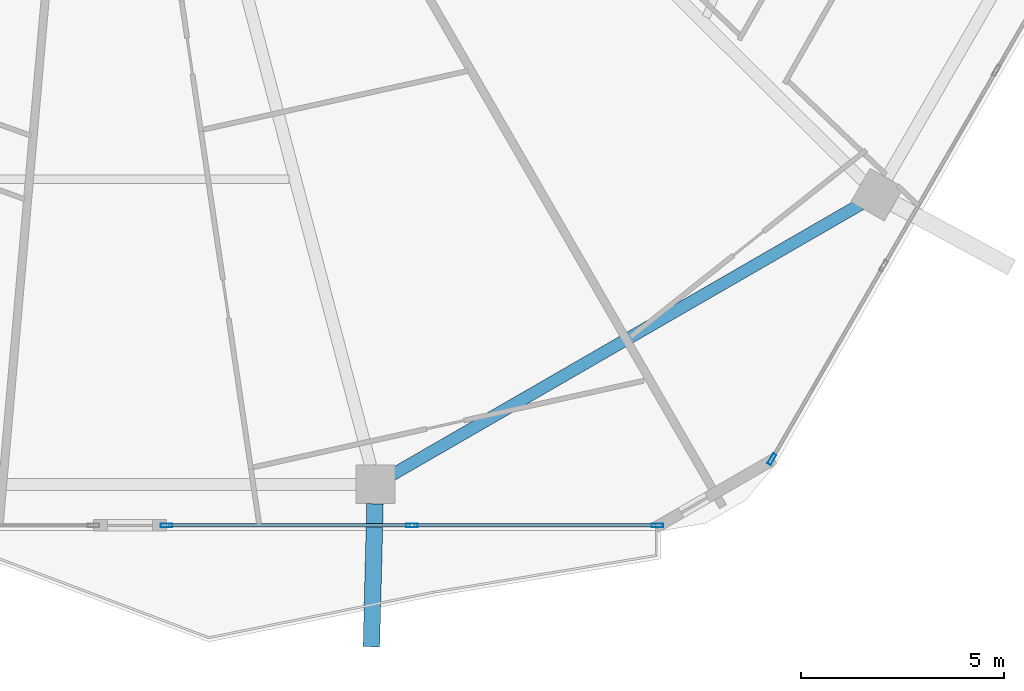
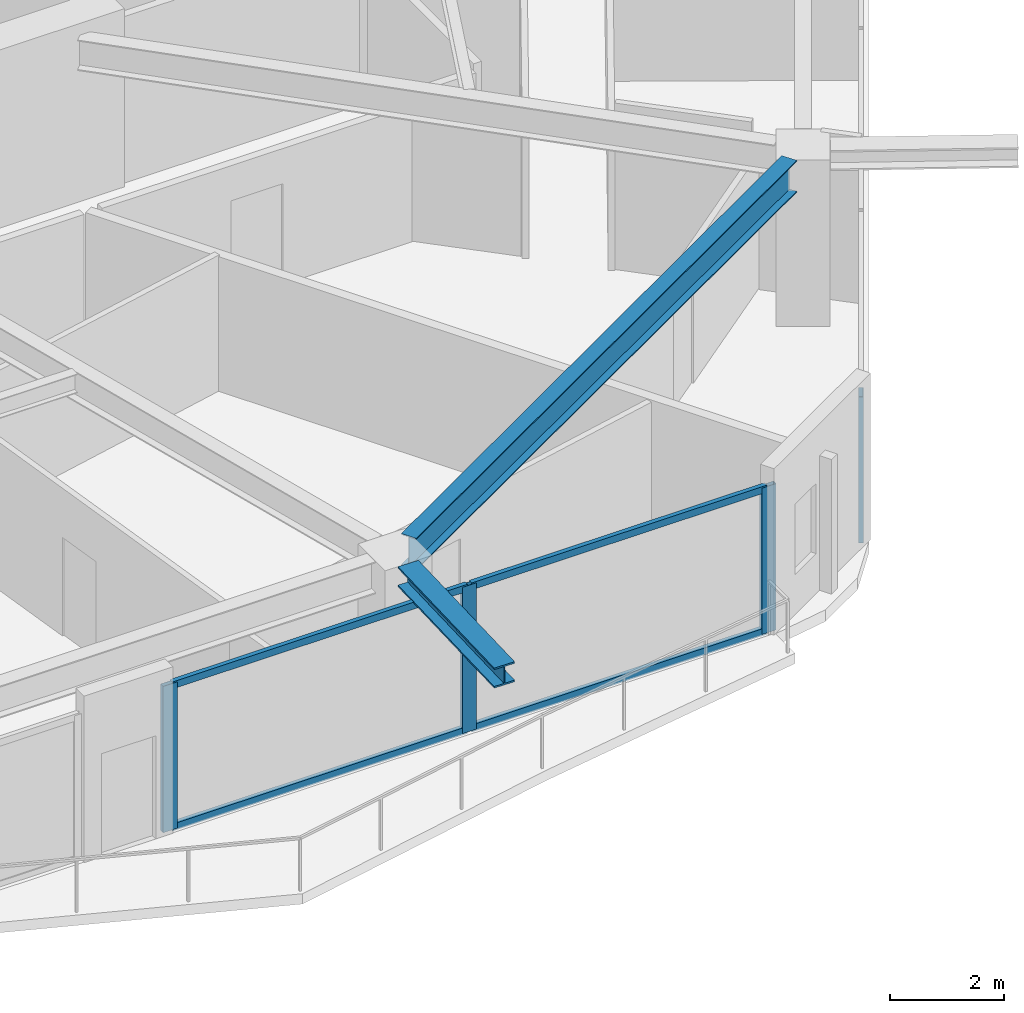
# One storey, part 7 of 25: 8 members, 2 beams, 2 elements without a shape of their own.
"""IFC4 building model written with IfcOpenShell, lengths in metres."""

from ifc_helpers import new_model, si_unit, direction, frame, origin, origin_2d, place, context, subcontext, project, spatial, hollow_rectangle, i_section, extrude, material, material_profile, profile_set, type_object, element, aggregate, save


model = new_model("IFC4")

# Units and contexts
model_context = context("Model", 3, precision=1e-05, world=origin(), true_north=direction((0.0, 1.0)))
body_context = subcontext(model_context, "Body", "Model", "MODEL_VIEW")
ifc_project = project(units=[si_unit("LENGTHUNIT", "METRE"), si_unit("AREAUNIT", "SQUARE_METRE"), si_unit("VOLUMEUNIT", "CUBIC_METRE"), si_unit("PLANEANGLEUNIT", "RADIAN"), si_unit("MASSUNIT", "GRAM", prefix="KILO")], contexts=[model_context])

# Site, building, storey
site_placement = place(None, origin())
site = spatial("IfcSite", under=ifc_project, at=site_placement, CompositionType="ELEMENT")
building_placement = place(site_placement, origin())
building = spatial("IfcBuilding", under=site, at=building_placement, Name="Zuhravey Tower", CompositionType="ELEMENT")
storey_placement = place(building_placement, frame((0.0, 0.0, 196.0)))
storey = spatial("IfcBuildingStorey", under=building, at=storey_placement, Name="L49", CompositionType="ELEMENT", Elevation=196.0)

# Curtain wall, member
ifc_material_1 = material(Name="Thermally broken anodised aluminium", Category="aluminium")
curtain_wall_type = type_object("IfcCurtainWallType", Name="Zone 1-2 Residential Curtain Wall CW3", PredefinedType="NOTDEFINED", material=ifc_material_1)
curtain_wall_1_placement = place(storey_placement, origin())
curtain_wall_1 = element("IfcCurtainWall", 1, at=curtain_wall_1_placement, inside=storey, type_object=curtain_wall_type, Name="L49 CW3 CW-L49-F6-1", PredefinedType="NOTDEFINED")
ifc_material_2 = material(Name="Anodised aluminium", Category="aluminium")
ifc_material_profile_1 = material_profile(ifc_material_2, hollow_rectangle(XDim=0.090087890625, YDim=0.284912109375, WallThickness=0.0048828125, at=origin_2d()), Name="ALU-RHS-90x285x5")
ifc_profile_set_1 = profile_set([ifc_material_profile_1], Name="Anodised aluminium")
member_type_1 = type_object("IfcMemberType", Name="Curtain-Wall Mullion 90x180", PredefinedType="MULLION", material=ifc_profile_set_1)
member_1_placement = place(storey_placement, frame((52.63330078125, 6.443359375, 0.0), z_axis=(0.0, 0.0, 1.0), x_axis=(0.866025138215, -0.500000459979, 0.0)))
member_1 = element("IfcMember", 2, at=member_1_placement, type_object=member_type_1, Name="CW3 mullion 6", PredefinedType="MULLION", context=body_context, shape_type="SweptSolid", body=[
    extrude(hollow_rectangle(XDim=0.090087890625, YDim=0.284912109375, WallThickness=0.0048828125, at=origin_2d()), origin(), (0.0, 0.0, 1.0), 3.1220703125),
])
aggregate(curtain_wall_1, [member_1])

# Curtain wall, members
curtain_wall_2_placement = place(storey_placement, origin())
curtain_wall_2 = element("IfcCurtainWall", 3, at=curtain_wall_2_placement, inside=storey, type_object=curtain_wall_type, Name="L49 CW3 CW-L49-F5-1", PredefinedType="NOTDEFINED")
member_2_placement = place(storey_placement, frame((49.816162109375, 4.81689453125, 0.0), z_axis=(0.0, 0.0, 1.0), x_axis=(0.0, -1.0, 0.0)))
member_2 = element("IfcMember", 4, at=member_2_placement, type_object=member_type_1, Name="CW3 mullion 1", PredefinedType="MULLION", context=body_context, shape_type="SweptSolid", body=[
    extrude(hollow_rectangle(XDim=0.090087890625, YDim=0.284912109375, WallThickness=0.0048828125, at=origin_2d()), origin(), (0.0, 0.0, 1.0), 3.1220703125),
])
member_3_placement = place(storey_placement, frame((43.776611328125, 4.81689453125, 0.0), z_axis=(0.0, 0.0, 1.0), x_axis=(0.0, -1.0, 0.0)))
member_3 = element("IfcMember", 5, at=member_3_placement, type_object=member_type_1, Name="CW3 mullion 2", PredefinedType="MULLION", context=body_context, shape_type="SweptSolid", body=[
    extrude(hollow_rectangle(XDim=0.090087890625, YDim=0.284912109375, WallThickness=0.0048828125, at=origin_2d()), origin(), (0.0, 0.0, 1.0), 3.1220703125),
])
member_4_placement = place(storey_placement, frame((37.737060546875, 4.81689453125, 0.0), z_axis=(0.0, 0.0, 1.0), x_axis=(0.0, -1.0, 0.0)))
member_4 = element("IfcMember", 6, at=member_4_placement, type_object=member_type_1, Name="CW3 mullion 3", PredefinedType="MULLION", context=body_context, shape_type="SweptSolid", body=[
    extrude(hollow_rectangle(XDim=0.090087890625, YDim=0.284912109375, WallThickness=0.0048828125, at=origin_2d()), origin(), (0.0, 0.0, 1.0), 3.1220703125),
])
ifc_material_profile_2 = material_profile(ifc_material_2, hollow_rectangle(XDim=0.090087890625, YDim=0.14990234375, WallThickness=0.0048828125, at=origin_2d()), Name="ALU-RHS-90x150x5")
ifc_profile_set_2 = profile_set([ifc_material_profile_2], Name="Anodised aluminium")
member_type_2 = type_object("IfcMemberType", Name="Curtain-Wall Transom 90x150", PredefinedType="USERDEFINED", material=ifc_profile_set_2)
member_5_placement = place(storey_placement, frame((49.77099609375, 4.81689453125, 0.044921875), z_axis=(-1.0, 0.0, 0.0), x_axis=(0.0, -1.0, 0.0)))
member_5 = element("IfcMember", 7, at=member_5_placement, type_object=member_type_2, Name="CW3 transom 1.1", ObjectType="TRANSOM", PredefinedType="USERDEFINED", context=body_context, shape_type="SweptSolid", body=[
    extrude(hollow_rectangle(XDim=0.090087890625, YDim=0.14990234375, WallThickness=0.0048828125, at=origin_2d()), origin(), (0.0, 0.0, 1.0), 5.949462890625),
])
member_6_placement = place(storey_placement, frame((49.77099609375, 4.81689453125, 3.076904296875), z_axis=(-1.0, 0.0, 0.0), x_axis=(0.0, -1.0, 0.0)))
member_6 = element("IfcMember", 8, at=member_6_placement, type_object=member_type_2, Name="CW3 transom 1.2", ObjectType="TRANSOM", PredefinedType="USERDEFINED", context=body_context, shape_type="SweptSolid", body=[
    extrude(hollow_rectangle(XDim=0.090087890625, YDim=0.14990234375, WallThickness=0.0048828125, at=origin_2d()), origin(), (0.0, 0.0, 1.0), 5.949462890625),
])
member_7_placement = place(storey_placement, frame((43.731689453125, 4.81689453125, 0.044921875), z_axis=(-1.0, 0.0, 0.0), x_axis=(0.0, -1.0, 0.0)))
member_7 = element("IfcMember", 9, at=member_7_placement, type_object=member_type_2, Name="CW3 transom 2.1", ObjectType="TRANSOM", PredefinedType="USERDEFINED", context=body_context, shape_type="SweptSolid", body=[
    extrude(hollow_rectangle(XDim=0.090087890625, YDim=0.14990234375, WallThickness=0.0048828125, at=origin_2d()), origin(), (0.0, 0.0, 1.0), 5.94970703125),
])
member_8_placement = place(storey_placement, frame((43.731689453125, 4.81689453125, 3.076904296875), z_axis=(-1.0, 0.0, 0.0), x_axis=(0.0, -1.0, 0.0)))
member_8 = element("IfcMember", 10, at=member_8_placement, type_object=member_type_2, Name="CW3 transom 2.2", ObjectType="TRANSOM", PredefinedType="USERDEFINED", context=body_context, shape_type="SweptSolid", body=[
    extrude(hollow_rectangle(XDim=0.090087890625, YDim=0.14990234375, WallThickness=0.0048828125, at=origin_2d()), origin(), (0.0, 0.0, 1.0), 5.94970703125),
])
aggregate(curtain_wall_2, [member_2, member_3, member_4, member_5, member_6, member_7, member_8])

# Beams
ifc_material_3 = material(Name="Steel SM460", Category="steel")
ifc_material_profile_3 = material_profile(ifc_material_3, i_section(OverallWidth=0.406982421875, OverallDepth=0.427978515625, WebThickness=0.02001953125, FlangeThickness=0.034912109375, at=origin_2d()), Name="H-428x407x20x35")
ifc_profile_set_3 = profile_set([ifc_material_profile_3], Name="Steel SM460")
beam_type_1 = type_object("IfcBeamType", Name="Exoskeleton Node Tie Beam H428x407", PredefinedType="BEAM", material=ifc_profile_set_3)
beam_1_placement = place(storey_placement, frame((42.869873046875, 5.347900390625, 3.3359375), z_axis=(-0.025127461498, -0.999684255492, 0.0), x_axis=(0.999684255492, -0.025127461498, 0.0)))
element("IfcBeam", 11, at=beam_1_placement, inside=storey, type_object=beam_type_1, Name="L49 Exoskeleton Node Tie NT1-10", PredefinedType="BEAM", context=body_context, shape_type="SweptSolid", body=[
    extrude(i_section(OverallWidth=0.406982421875, OverallDepth=0.427978515625, WebThickness=0.02001953125, FlangeThickness=0.034912109375, at=origin_2d()), origin(), (0.0, 0.0, 1.0), 3.517333984375),
])
ifc_material_4 = material(Name="Steel SM355", Category="steel")
ifc_material_profile_4 = material_profile(ifc_material_4, i_section(OverallWidth=0.300048828125, OverallDepth=0.679931640625, WebThickness=0.012939453125, FlangeThickness=0.02197265625, at=origin_2d()), Name="H-680x300x13x22")
ifc_profile_set_4 = profile_set([ifc_material_profile_4], Name="Steel SM355")
beam_type_2 = type_object("IfcBeamType", Name="Perimeter Ring Beam H680x300", PredefinedType="BEAM", material=ifc_profile_set_4)
beam_2_placement = place(storey_placement, frame((43.2958984375, 6.06591796875, 3.2099609375), z_axis=(0.866029041019, 0.499993700073, 0.0), x_axis=(-0.499993700073, 0.866029041019, 0.0)))
element("IfcBeam", 12, at=beam_2_placement, inside=storey, type_object=beam_type_2, Name="L49 PB2 BM-L49-PB-10", PredefinedType="BEAM", context=body_context, shape_type="SweptSolid", body=[
    extrude(i_section(OverallWidth=0.300048828125, OverallDepth=0.679931640625, WebThickness=0.012939453125, FlangeThickness=0.02197265625, at=origin_2d()), origin(), (0.0, 0.0, 1.0), 13.297119140625),
])

save(model, "model.ifc")
